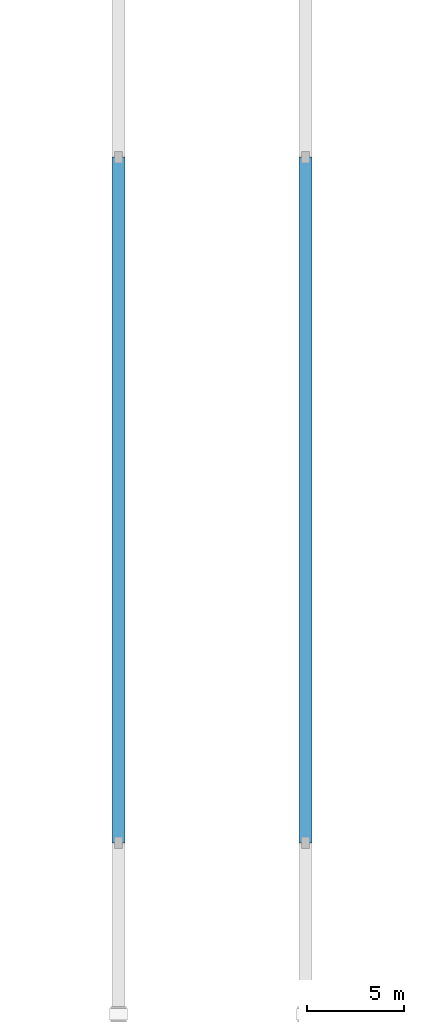
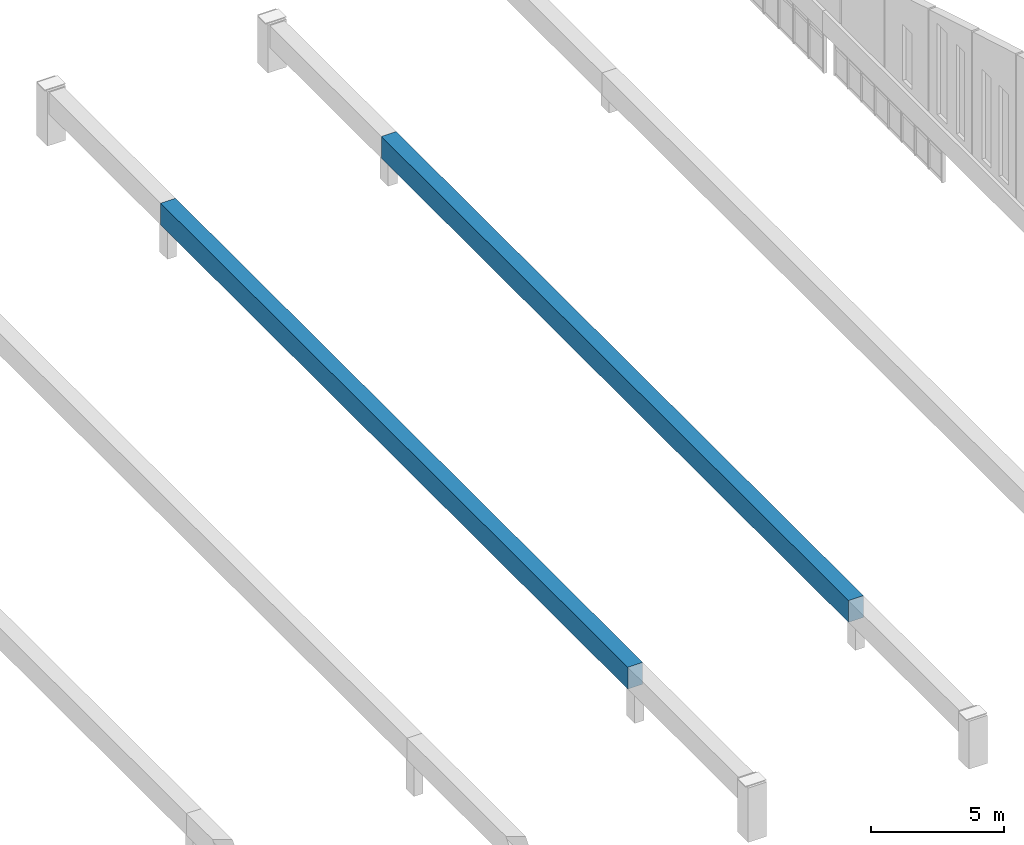
# One storey, part 19 of 65: 2 beams.
"""IFC4 building model written with IfcOpenShell, lengths in metres."""

from ifc_helpers import new_model, si_unit, direction, frame, origin, origin_2d, place, context, subcontext, project, spatial, rectangle, extrude, material, material_profile, profile_set, type_object, element, save


model = new_model("IFC4")

# Units and contexts
model_context = context("Model", 3, precision=1e-05, world=origin(), true_north=direction((0.0, 1.0)))
body_context = subcontext(model_context, "Body", "Model", "MODEL_VIEW")
ifc_project = project(units=[si_unit("LENGTHUNIT", "METRE"), si_unit("AREAUNIT", "SQUARE_METRE"), si_unit("VOLUMEUNIT", "CUBIC_METRE"), si_unit("PLANEANGLEUNIT", "RADIAN"), si_unit("MASSUNIT", "GRAM", prefix="KILO")], contexts=[model_context])

# Site, building, storey
site_placement = place(None, origin())
site = spatial("IfcSite", under=ifc_project, at=site_placement, CompositionType="ELEMENT")
building_placement = place(site_placement, origin())
building = spatial("IfcBuilding", under=site, at=building_placement, Name="Chalmorin Arch Market", CompositionType="ELEMENT")
storey_placement = place(building_placement, frame((0.0, 0.0, 14.10009765625)))
storey = spatial("IfcBuildingStorey", under=building, at=storey_placement, Name="L03", CompositionType="ELEMENT", Elevation=14.10009765625)

# Beams
ifc_material = material(Name="Concrete C50/60", Category="concrete")
ifc_material_profile = material_profile(ifc_material, rectangle(XDim=0.64990234375, YDim=1.0, at=origin_2d()), Name="RC650X1000")
ifc_profile_set = profile_set([ifc_material_profile], Name="Concrete C50/60")
beam_type = type_object("IfcBeamType", Name="ArchTieGirder-650x1000", PredefinedType="BEAM", material=ifc_profile_set)
for number, where, z_axis, x_axis, name in (
    (1, (96.0, 14.800048828125, 1.947021484375), (0.0, 1.0, 0.0), (-1.0, 0.0, 0.0), "ATG-01-1697"),
    (2, (105.60009765625, 14.800048828125, 1.654541015625), (0.0, 1.0, 0.0), (-1.0, 0.0, 0.0), "ATG-01-1716"),
):
    element("IfcBeam", number, at=place(storey_placement, frame(where, z_axis=z_axis, x_axis=x_axis)), inside=storey, type_object=beam_type, Name=name, PredefinedType="BEAM", context=body_context, shape_type="SweptSolid", body=[
        extrude(rectangle(XDim=0.64990234375, YDim=1.0, at=origin_2d()), origin(), (0.0, 0.0, 1.0), 35.199951171875),
    ])

save(model, "model.ifc")
